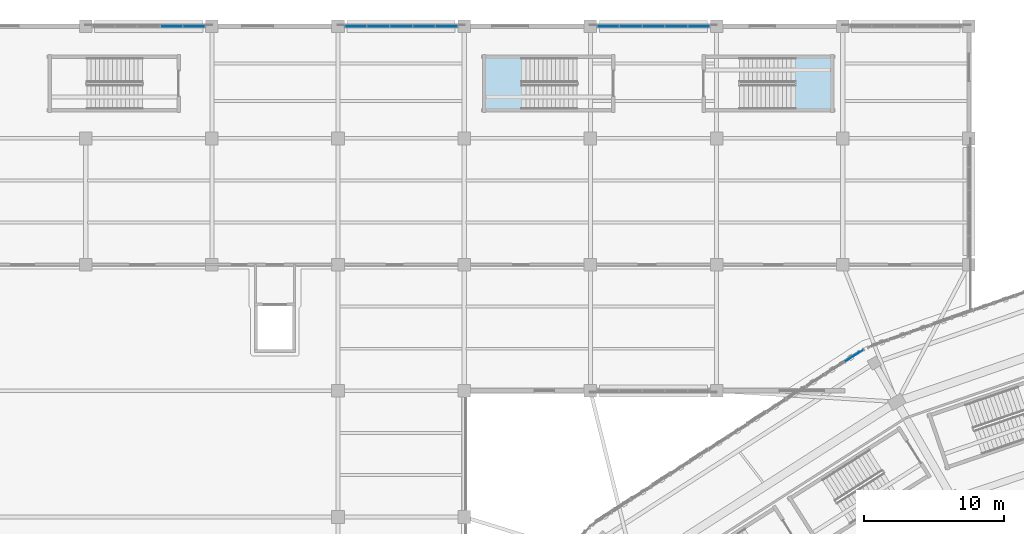
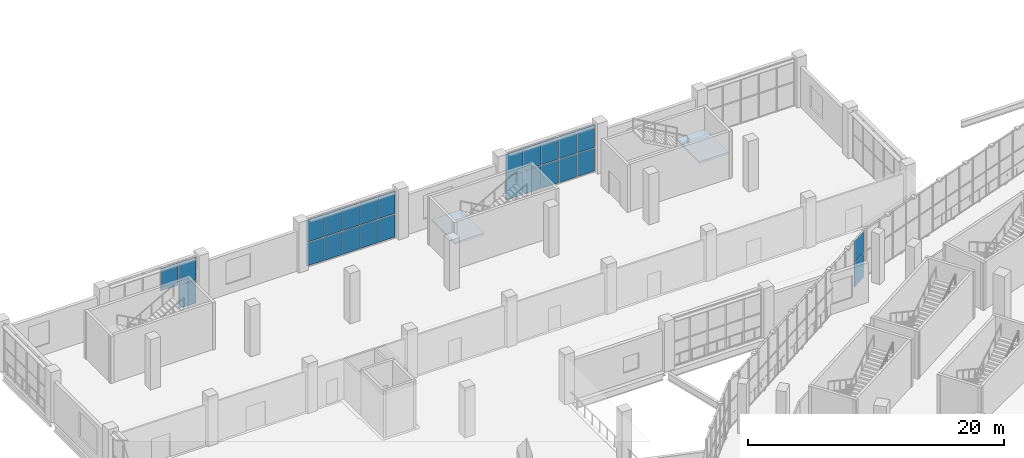
# One storey, part 89 of 183: 25 plates, 2 slabs, 6 elements without a shape of their own.
"""IFC4 building model written with IfcOpenShell, lengths in metres."""

from ifc_helpers import new_model, si_unit, direction, frame, origin, origin_2d, place, context, subcontext, project, spatial, polyline, rectangle, outline, extrude, material, layer, layer_set, type_object, element, aggregate, save


model = new_model("IFC4")

# Units and contexts
model_context = context("Model", 3, precision=1e-05, world=origin(), true_north=direction((0.0, 1.0)))
body_context = subcontext(model_context, "Body", "Model", "MODEL_VIEW")
ifc_project = project(units=[si_unit("LENGTHUNIT", "METRE"), si_unit("AREAUNIT", "SQUARE_METRE"), si_unit("VOLUMEUNIT", "CUBIC_METRE"), si_unit("PLANEANGLEUNIT", "RADIAN"), si_unit("MASSUNIT", "GRAM", prefix="KILO")], contexts=[model_context])

# Site, building, storey
site_placement = place(None, origin())
site = spatial("IfcSite", under=ifc_project, at=site_placement, CompositionType="ELEMENT")
building_placement = place(site_placement, origin())
building = spatial("IfcBuilding", under=site, at=building_placement, Name="Zevraka Park Crest Stadium", CompositionType="ELEMENT")
storey_placement = place(building_placement, frame((0.0, 0.0, 5.39990234375)))
storey = spatial("IfcBuildingStorey", under=building, at=storey_placement, Name="L01", CompositionType="ELEMENT", Elevation=5.39990234375)

# Curtain wall, plates
ifc_material_1 = material(Name="Anodised architectural aluminium and laminated safety glass", Category="aluminium")
curtain_wall_type_1 = type_object("IfcCurtainWallType", Name="CW03", PredefinedType="NOTDEFINED", material=ifc_material_1)
curtain_wall_1_placement = place(storey_placement, origin())
curtain_wall_1 = element("IfcCurtainWall", 1, at=curtain_wall_1_placement, inside=storey, type_object=curtain_wall_type_1, Name="Unitised Ring Curtain Wall CW03 L01-08", PredefinedType="NOTDEFINED")
ifc_material_2 = material(Name="Solar-control laminated double glazing", Category="glass")
ifc_layer_1 = layer(ifc_material_2, 0.028076171875)
ifc_layer_set_1 = layer_set([ifc_layer_1], Name="Solar-control laminated double glazing")
plate_type_1 = type_object("IfcPlateType", Name="CP03", PredefinedType="CURTAIN_PANEL", material=ifc_layer_set_1)
plate_1_placement = place(storey_placement, frame((63.818359375, 160.509033203125, 0.070068359375), z_axis=(0.0, 0.0, 1.0), x_axis=(-0.840010186018, -0.542570628938, 0.0)))
plate_1 = element("IfcPlate", 2, at=plate_1_placement, type_object=plate_type_1, Name="CW03 panel 1.1", PredefinedType="CURTAIN_PANEL", context=body_context, shape_type="SweptSolid", body=[
    extrude(rectangle(XDim=1.54443359375, YDim=0.028076171875, at=origin_2d()), origin(), (0.0, 0.0, 1.0), 2.294921875),
])
plate_2_placement = place(storey_placement, frame((63.818359375, 160.509033203125, 2.43505859375), z_axis=(0.0, 0.0, 1.0), x_axis=(-0.840010186018, -0.542570628938, 0.0)))
plate_2 = element("IfcPlate", 3, at=plate_2_placement, type_object=plate_type_1, Name="CW03 panel 1.2", PredefinedType="CURTAIN_PANEL", context=body_context, shape_type="SweptSolid", body=[
    extrude(rectangle(XDim=1.54443359375, YDim=0.028076171875, at=origin_2d()), origin(), (0.0, 0.0, 1.0), 2.014892578125),
])
aggregate(curtain_wall_1, [plate_1, plate_2])

ifc_material_3 = material(Name="Anodised architectural aluminium and laminated safety glass", Category="aluminium")
curtain_wall_type_2 = type_object("IfcCurtainWallType", Name="CW27", PredefinedType="NOTDEFINED", material=ifc_material_3)
curtain_wall_2_placement = place(storey_placement, origin())
curtain_wall_2 = element("IfcCurtainWall", 4, at=curtain_wall_2_placement, inside=storey, type_object=curtain_wall_type_2, Name="Wing Curtain Wall CW27 L01-NW-N-6", PredefinedType="NOTDEFINED")
ifc_material_4 = material(Name="Solar-control laminated double glazing", Category="glass")
ifc_layer_2 = layer(ifc_material_4, 0.035888671875)
ifc_layer_set_2 = layer_set([ifc_layer_2], Name="Solar-control laminated double glazing")
plate_type_2 = type_object("IfcPlateType", Name="CP27", PredefinedType="CURTAIN_PANEL", material=ifc_layer_set_2)
plate_3_placement = place(storey_placement, frame((46.26953125, 184.0, 0.06982421875), z_axis=(0.0, 0.0, 1.0), x_axis=(1.0, 0.0, 0.0)))
plate_3 = element("IfcPlate", 5, at=plate_3_placement, type_object=plate_type_2, Name="CW27 panel 1.1", PredefinedType="CURTAIN_PANEL", context=body_context, shape_type="SweptSolid", body=[
    extrude(rectangle(XDim=1.51904296875, YDim=0.035888671875, at=origin_2d()), origin(), (0.0, 0.0, 1.0), 2.195068359375),
])
plate_4_placement = place(storey_placement, frame((46.26953125, 184.0, 2.3349609375), z_axis=(0.0, 0.0, 1.0), x_axis=(1.0, 0.0, 0.0)))
plate_4 = element("IfcPlate", 6, at=plate_4_placement, type_object=plate_type_2, Name="CW27 panel 1.2", PredefinedType="CURTAIN_PANEL", context=body_context, shape_type="SweptSolid", body=[
    extrude(rectangle(XDim=1.51904296875, YDim=0.035888671875, at=origin_2d()), origin(), (0.0, 0.0, 1.0), 2.114990234375),
])
plate_5_placement = place(storey_placement, frame((47.8759765625, 184.0, 0.06982421875), z_axis=(0.0, 0.0, 1.0), x_axis=(1.0, 0.0, 0.0)))
plate_5 = element("IfcPlate", 7, at=plate_5_placement, type_object=plate_type_2, Name="CW27 panel 2.1", PredefinedType="CURTAIN_PANEL", context=body_context, shape_type="SweptSolid", body=[
    extrude(rectangle(XDim=1.553955078125, YDim=0.035888671875, at=origin_2d()), origin(), (0.0, 0.0, 1.0), 2.195068359375),
])
plate_6_placement = place(storey_placement, frame((47.8759765625, 184.0, 2.3349609375), z_axis=(0.0, 0.0, 1.0), x_axis=(1.0, 0.0, 0.0)))
plate_6 = element("IfcPlate", 8, at=plate_6_placement, type_object=plate_type_2, Name="CW27 panel 2.2", PredefinedType="CURTAIN_PANEL", context=body_context, shape_type="SweptSolid", body=[
    extrude(rectangle(XDim=1.553955078125, YDim=0.035888671875, at=origin_2d()), origin(), (0.0, 0.0, 1.0), 2.114990234375),
])
plate_7_placement = place(storey_placement, frame((49.5, 184.0, 0.06982421875), z_axis=(0.0, 0.0, 1.0), x_axis=(1.0, 0.0, 0.0)))
plate_7 = element("IfcPlate", 9, at=plate_7_placement, type_object=plate_type_2, Name="CW27 panel 3.1", PredefinedType="CURTAIN_PANEL", context=body_context, shape_type="SweptSolid", body=[
    extrude(rectangle(XDim=1.553955078125, YDim=0.035888671875, at=origin_2d()), origin(), (0.0, 0.0, 1.0), 2.195068359375),
])
plate_8_placement = place(storey_placement, frame((49.5, 184.0, 2.3349609375), z_axis=(0.0, 0.0, 1.0), x_axis=(1.0, 0.0, 0.0)))
plate_8 = element("IfcPlate", 10, at=plate_8_placement, type_object=plate_type_2, Name="CW27 panel 3.2", PredefinedType="CURTAIN_PANEL", context=body_context, shape_type="SweptSolid", body=[
    extrude(rectangle(XDim=1.553955078125, YDim=0.035888671875, at=origin_2d()), origin(), (0.0, 0.0, 1.0), 2.114990234375),
])
plate_9_placement = place(storey_placement, frame((51.1240234375, 184.0, 0.06982421875), z_axis=(0.0, 0.0, 1.0), x_axis=(1.0, 0.0, 0.0)))
plate_9 = element("IfcPlate", 11, at=plate_9_placement, type_object=plate_type_2, Name="CW27 panel 4.1", PredefinedType="CURTAIN_PANEL", context=body_context, shape_type="SweptSolid", body=[
    extrude(rectangle(XDim=1.553955078125, YDim=0.035888671875, at=origin_2d()), origin(), (0.0, 0.0, 1.0), 2.195068359375),
])
plate_10_placement = place(storey_placement, frame((51.1240234375, 184.0, 2.3349609375), z_axis=(0.0, 0.0, 1.0), x_axis=(1.0, 0.0, 0.0)))
plate_10 = element("IfcPlate", 12, at=plate_10_placement, type_object=plate_type_2, Name="CW27 panel 4.2", PredefinedType="CURTAIN_PANEL", context=body_context, shape_type="SweptSolid", body=[
    extrude(rectangle(XDim=1.553955078125, YDim=0.035888671875, at=origin_2d()), origin(), (0.0, 0.0, 1.0), 2.114990234375),
])
plate_11_placement = place(storey_placement, frame((52.73046875, 184.0, 0.06982421875), z_axis=(0.0, 0.0, 1.0), x_axis=(1.0, 0.0, 0.0)))
plate_11 = element("IfcPlate", 13, at=plate_11_placement, type_object=plate_type_2, Name="CW27 panel 5.1", PredefinedType="CURTAIN_PANEL", context=body_context, shape_type="SweptSolid", body=[
    extrude(rectangle(XDim=1.51904296875, YDim=0.035888671875, at=origin_2d()), origin(), (0.0, 0.0, 1.0), 2.195068359375),
])
plate_12_placement = place(storey_placement, frame((52.73046875, 184.0, 2.3349609375), z_axis=(0.0, 0.0, 1.0), x_axis=(1.0, 0.0, 0.0)))
plate_12 = element("IfcPlate", 14, at=plate_12_placement, type_object=plate_type_2, Name="CW27 panel 5.2", PredefinedType="CURTAIN_PANEL", context=body_context, shape_type="SweptSolid", body=[
    extrude(rectangle(XDim=1.51904296875, YDim=0.035888671875, at=origin_2d()), origin(), (0.0, 0.0, 1.0), 2.114990234375),
])
aggregate(curtain_wall_2, [plate_3, plate_4, plate_5, plate_6, plate_7, plate_8, plate_9, plate_10, plate_11, plate_12])

ifc_material_5 = material(Name="Anodised architectural aluminium and laminated safety glass", Category="aluminium")
curtain_wall_type_3 = type_object("IfcCurtainWallType", Name="CW28", PredefinedType="NOTDEFINED", material=ifc_material_5)
curtain_wall_3_placement = place(storey_placement, origin())
curtain_wall_3 = element("IfcCurtainWall", 15, at=curtain_wall_3_placement, inside=storey, type_object=curtain_wall_type_3, Name="Wing Curtain Wall CW28 L01-NW-N-2", PredefinedType="NOTDEFINED")
ifc_material_6 = material(Name="Solar-control laminated double glazing", Category="glass")
ifc_layer_3 = layer(ifc_material_6, 0.035888671875)
ifc_layer_set_3 = layer_set([ifc_layer_3], Name="Solar-control laminated double glazing")
plate_type_3 = type_object("IfcPlateType", Name="CP28", PredefinedType="CURTAIN_PANEL", material=ifc_layer_set_3)
plate_13_placement = place(storey_placement, frame((15.1240234375, 184.0, 2.330078125), z_axis=(0.0, 0.0, 1.0), x_axis=(1.0, 0.0, 0.0)))
plate_13 = element("IfcPlate", 16, at=plate_13_placement, type_object=plate_type_3, Name="CW28 panel 4.2", PredefinedType="CURTAIN_PANEL", context=body_context, shape_type="SweptSolid", body=[
    extrude(rectangle(XDim=1.56396484375, YDim=0.035888671875, at=origin_2d()), origin(), (0.0, 0.0, 1.0), 2.1298828125),
])
plate_14_placement = place(storey_placement, frame((16.73291015625, 184.0, 0.06005859375), z_axis=(0.0, 0.0, 1.0), x_axis=(1.0, 0.0, 0.0)))
plate_14 = element("IfcPlate", 17, at=plate_14_placement, type_object=plate_type_3, Name="CW28 panel 5.1", PredefinedType="CURTAIN_PANEL", context=body_context, shape_type="SweptSolid", body=[
    extrude(rectangle(XDim=1.533935546875, YDim=0.035888671875, at=origin_2d()), origin(), (0.0, 0.0, 1.0), 2.2099609375),
])
plate_15_placement = place(storey_placement, frame((16.73291015625, 184.0, 2.330078125), z_axis=(0.0, 0.0, 1.0), x_axis=(1.0, 0.0, 0.0)))
plate_15 = element("IfcPlate", 18, at=plate_15_placement, type_object=plate_type_3, Name="CW28 panel 5.2", PredefinedType="CURTAIN_PANEL", context=body_context, shape_type="SweptSolid", body=[
    extrude(rectangle(XDim=1.533935546875, YDim=0.035888671875, at=origin_2d()), origin(), (0.0, 0.0, 1.0), 2.1298828125),
])
aggregate(curtain_wall_3, [plate_13, plate_14, plate_15])

ifc_material_7 = material(Name="Anodised architectural aluminium and laminated safety glass", Category="aluminium")
curtain_wall_type_4 = type_object("IfcCurtainWallType", Name="CW30", PredefinedType="NOTDEFINED", material=ifc_material_7)
curtain_wall_4_placement = place(storey_placement, origin())
curtain_wall_4 = element("IfcCurtainWall", 19, at=curtain_wall_4_placement, inside=storey, type_object=curtain_wall_type_4, Name="Wing Curtain Wall CW30 L01-NW-N-4", PredefinedType="NOTDEFINED")
ifc_material_8 = material(Name="Solar-control laminated double glazing", Category="glass")
ifc_layer_4 = layer(ifc_material_8, 0.035888671875)
ifc_layer_set_4 = layer_set([ifc_layer_4], Name="Solar-control laminated double glazing")
plate_type_4 = type_object("IfcPlateType", Name="CP30", PredefinedType="CURTAIN_PANEL", material=ifc_layer_set_4)
plate_16_placement = place(storey_placement, frame((28.26953125, 184.0, 0.06982421875), z_axis=(0.0, 0.0, 1.0), x_axis=(1.0, 0.0, 0.0)))
plate_16 = element("IfcPlate", 20, at=plate_16_placement, type_object=plate_type_4, Name="CW30 panel 1.1", PredefinedType="CURTAIN_PANEL", context=body_context, shape_type="SweptSolid", body=[
    extrude(rectangle(XDim=1.51904296875, YDim=0.035888671875, at=origin_2d()), origin(), (0.0, 0.0, 1.0), 2.195068359375),
])
plate_17_placement = place(storey_placement, frame((28.26953125, 184.0, 2.3349609375), z_axis=(0.0, 0.0, 1.0), x_axis=(1.0, 0.0, 0.0)))
plate_17 = element("IfcPlate", 21, at=plate_17_placement, type_object=plate_type_4, Name="CW30 panel 1.2", PredefinedType="CURTAIN_PANEL", context=body_context, shape_type="SweptSolid", body=[
    extrude(rectangle(XDim=1.51904296875, YDim=0.035888671875, at=origin_2d()), origin(), (0.0, 0.0, 1.0), 2.114990234375),
])
plate_18_placement = place(storey_placement, frame((29.8759765625, 184.0, 0.06982421875), z_axis=(0.0, 0.0, 1.0), x_axis=(1.0, 0.0, 0.0)))
plate_18 = element("IfcPlate", 22, at=plate_18_placement, type_object=plate_type_4, Name="CW30 panel 2.1", PredefinedType="CURTAIN_PANEL", context=body_context, shape_type="SweptSolid", body=[
    extrude(rectangle(XDim=1.553955078125, YDim=0.035888671875, at=origin_2d()), origin(), (0.0, 0.0, 1.0), 2.195068359375),
])
plate_19_placement = place(storey_placement, frame((29.8759765625, 184.0, 2.3349609375), z_axis=(0.0, 0.0, 1.0), x_axis=(1.0, 0.0, 0.0)))
plate_19 = element("IfcPlate", 23, at=plate_19_placement, type_object=plate_type_4, Name="CW30 panel 2.2", PredefinedType="CURTAIN_PANEL", context=body_context, shape_type="SweptSolid", body=[
    extrude(rectangle(XDim=1.553955078125, YDim=0.035888671875, at=origin_2d()), origin(), (0.0, 0.0, 1.0), 2.114990234375),
])
plate_20_placement = place(storey_placement, frame((31.5, 184.0, 0.06982421875), z_axis=(0.0, 0.0, 1.0), x_axis=(1.0, 0.0, 0.0)))
plate_20 = element("IfcPlate", 24, at=plate_20_placement, type_object=plate_type_4, Name="CW30 panel 3.1", PredefinedType="CURTAIN_PANEL", context=body_context, shape_type="SweptSolid", body=[
    extrude(rectangle(XDim=1.553955078125, YDim=0.035888671875, at=origin_2d()), origin(), (0.0, 0.0, 1.0), 2.195068359375),
])
plate_21_placement = place(storey_placement, frame((31.5, 184.0, 2.3349609375), z_axis=(0.0, 0.0, 1.0), x_axis=(1.0, 0.0, 0.0)))
plate_21 = element("IfcPlate", 25, at=plate_21_placement, type_object=plate_type_4, Name="CW30 panel 3.2", PredefinedType="CURTAIN_PANEL", context=body_context, shape_type="SweptSolid", body=[
    extrude(rectangle(XDim=1.553955078125, YDim=0.035888671875, at=origin_2d()), origin(), (0.0, 0.0, 1.0), 2.114990234375),
])
plate_22_placement = place(storey_placement, frame((33.1240234375, 184.0, 0.06982421875), z_axis=(0.0, 0.0, 1.0), x_axis=(1.0, 0.0, 0.0)))
plate_22 = element("IfcPlate", 26, at=plate_22_placement, type_object=plate_type_4, Name="CW30 panel 4.1", PredefinedType="CURTAIN_PANEL", context=body_context, shape_type="SweptSolid", body=[
    extrude(rectangle(XDim=1.553955078125, YDim=0.035888671875, at=origin_2d()), origin(), (0.0, 0.0, 1.0), 2.195068359375),
])
plate_23_placement = place(storey_placement, frame((33.1240234375, 184.0, 2.3349609375), z_axis=(0.0, 0.0, 1.0), x_axis=(1.0, 0.0, 0.0)))
plate_23 = element("IfcPlate", 27, at=plate_23_placement, type_object=plate_type_4, Name="CW30 panel 4.2", PredefinedType="CURTAIN_PANEL", context=body_context, shape_type="SweptSolid", body=[
    extrude(rectangle(XDim=1.553955078125, YDim=0.035888671875, at=origin_2d()), origin(), (0.0, 0.0, 1.0), 2.114990234375),
])
plate_24_placement = place(storey_placement, frame((34.73046875, 184.0, 0.06982421875), z_axis=(0.0, 0.0, 1.0), x_axis=(1.0, 0.0, 0.0)))
plate_24 = element("IfcPlate", 28, at=plate_24_placement, type_object=plate_type_4, Name="CW30 panel 5.1", PredefinedType="CURTAIN_PANEL", context=body_context, shape_type="SweptSolid", body=[
    extrude(rectangle(XDim=1.51904296875, YDim=0.035888671875, at=origin_2d()), origin(), (0.0, 0.0, 1.0), 2.195068359375),
])
plate_25_placement = place(storey_placement, frame((34.73046875, 184.0, 2.3349609375), z_axis=(0.0, 0.0, 1.0), x_axis=(1.0, 0.0, 0.0)))
plate_25 = element("IfcPlate", 29, at=plate_25_placement, type_object=plate_type_4, Name="CW30 panel 5.2", PredefinedType="CURTAIN_PANEL", context=body_context, shape_type="SweptSolid", body=[
    extrude(rectangle(XDim=1.51904296875, YDim=0.035888671875, at=origin_2d()), origin(), (0.0, 0.0, 1.0), 2.114990234375),
])
aggregate(curtain_wall_4, [plate_16, plate_17, plate_18, plate_19, plate_20, plate_21, plate_22, plate_23, plate_24, plate_25])

# Stair, slab
ifc_material_9 = material(Name="Concrete C35/45", Category="concrete")
stair_type = type_object("IfcStairType", Name="STC2", PredefinedType="HALF_TURN_STAIR", material=ifc_material_9)
stair_1_placement = place(storey_placement, origin())
stair_1 = element("IfcStair", 30, at=stair_1_placement, inside=storey, type_object=stair_type, Name="L01 Garden Court Arcade West Stair ST49", PredefinedType="HALF_TURN_STAIR")
ifc_material_10 = material(Name="Concrete C35/45", Category="concrete")
ifc_layer_5 = layer(ifc_material_10, 0.199951171875)
ifc_layer_set_5 = layer_set([ifc_layer_5], Name="Concrete C35/45")
slab_type = type_object("IfcSlabType", Name="LS01", PredefinedType="LANDING", material=ifc_layer_set_5)
slab_1_placement = place(storey_placement, frame((0.0, 0.0, 2.2001953125)))
slab_1 = element("IfcSlab", 31, at=slab_1_placement, type_object=slab_type, Name="ST49 landing 1", PredefinedType="LANDING", context=body_context, shape_type="SweptSolid", body=[
    extrude(outline(polyline([(40.110107421875, 181.75), (37.5, 181.75), (37.5, 178.090087890625), (40.110107421875, 178.090087890625), (40.110107421875, 181.75)])), origin(), (0.0, 0.0, 1.0), 0.199951171875),
])
aggregate(stair_1, [slab_1])

stair_2_placement = place(storey_placement, origin())
stair_2 = element("IfcStair", 32, at=stair_2_placement, inside=storey, type_object=stair_type, Name="L01 Garden Court Arcade East Stair ST50", PredefinedType="HALF_TURN_STAIR")
slab_2_placement = place(storey_placement, frame((0.0, 0.0, 2.2001953125)))
slab_2 = element("IfcSlab", 33, at=slab_2_placement, type_object=slab_type, Name="ST50 landing 1", PredefinedType="LANDING", context=body_context, shape_type="SweptSolid", body=[
    extrude(outline(polyline([(59.590087890625, 178.090087890625), (62.199951171875, 178.090087890625), (62.199951171875, 181.75), (59.590087890625, 181.75), (59.590087890625, 178.090087890625)])), origin(), (0.0, 0.0, 1.0), 0.199951171875),
])
aggregate(stair_2, [slab_2])

save(model, "model.ifc")
